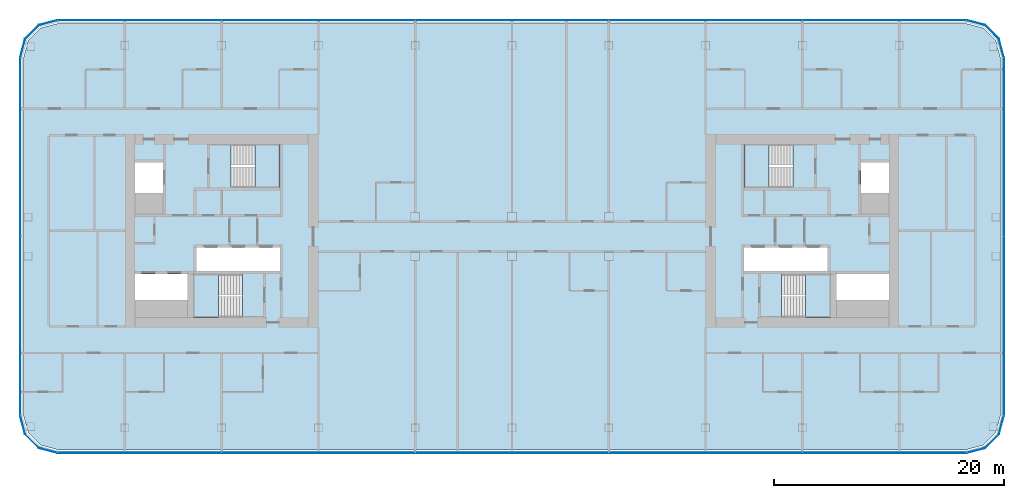
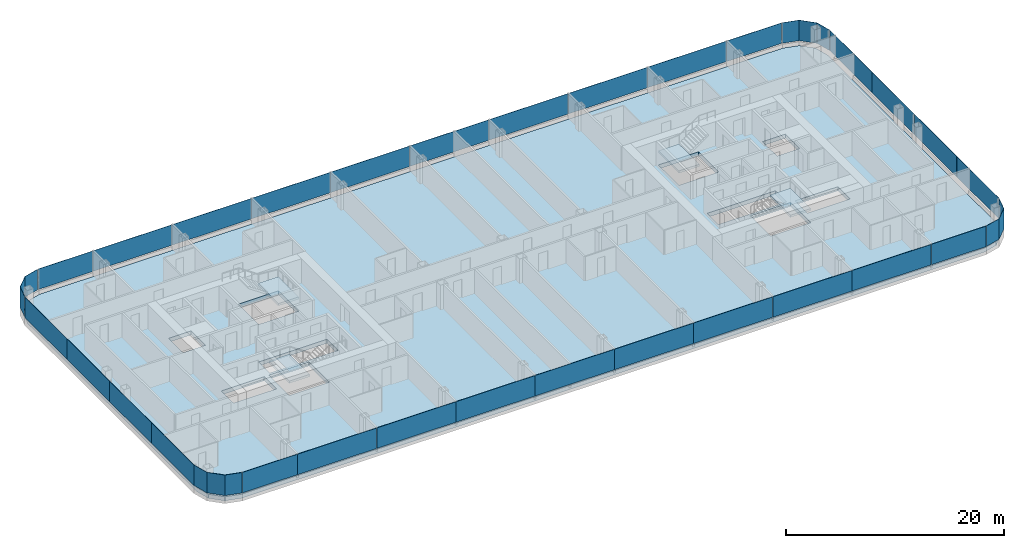
# One storey, part 11 of 25: 32 plates, 5 slabs, 12 elements without a shape of their own.
"""IFC4 building model written with IfcOpenShell, lengths in metres."""

from ifc_helpers import new_model, si_unit, direction, frame, origin, origin_2d, place, context, subcontext, project, spatial, polyline, rectangle, outline, extrude, material, layer, layer_set, type_object, element, aggregate, save


model = new_model("IFC4")

# Units and contexts
model_context = context("Model", 3, precision=1e-05, world=origin(), true_north=direction((0.0, 1.0)))
body_context = subcontext(model_context, "Body", "Model", "MODEL_VIEW")
ifc_project = project(units=[si_unit("LENGTHUNIT", "METRE"), si_unit("AREAUNIT", "SQUARE_METRE"), si_unit("VOLUMEUNIT", "CUBIC_METRE"), si_unit("PLANEANGLEUNIT", "RADIAN"), si_unit("MASSUNIT", "GRAM", prefix="KILO")], contexts=[model_context])

# Site, building, storey
site_placement = place(None, origin())
site = spatial("IfcSite", under=ifc_project, at=site_placement, CompositionType="ELEMENT")
building_placement = place(site_placement, origin())
building = spatial("IfcBuilding", under=site, at=building_placement, Name="Hakoniwa Tower and Hamabe Station Hall", CompositionType="ELEMENT")
storey_placement = place(building_placement, frame((0.0, 0.0, 147.0)))
storey = spatial("IfcBuildingStorey", under=building, at=storey_placement, Name="L41", CompositionType="ELEMENT", Elevation=147.0)

# Stair, slab
ifc_material_1 = material(Name="Concrete C40", Category="concrete")
stair_type = type_object("IfcStairType", Name="ESCAPE STAIR 1800", PredefinedType="HALF_TURN_STAIR", material=ifc_material_1)
stair_1_placement = place(storey_placement, origin())
stair_1 = element("IfcStair", 1, at=stair_1_placement, inside=storey, type_object=stair_type, Name="Escape stair ST-1 L41", PredefinedType="HALF_TURN_STAIR")
ifc_material_2 = material(Name="Concrete C40", Category="concrete")
ifc_layer_1 = layer(ifc_material_2, 0.25)
ifc_layer_set_1 = layer_set([ifc_layer_1], Name="CORE STAIR LANDING 250")
slab_type_1 = type_object("IfcSlabType", Name="CORE STAIR LANDING 250", PredefinedType="LANDING", material=ifc_layer_set_1)
slab_1_placement = place(storey_placement, frame((0.0, 0.0, 1.35009765625)))
slab_1 = element("IfcSlab", 2, at=slab_1_placement, type_object=slab_type_1, Name="ST-1 landing 1", PredefinedType="LANDING", context=body_context, shape_type="SweptSolid", body=[
    extrude(outline(polyline([(-22.320068359375, 3.75), (-20.14990234375, 3.75), (-20.14990234375, 7.5), (-22.320068359375, 7.5), (-22.320068359375, 3.75)])), origin(), (0.0, 0.0, 1.0), 0.25),
])
aggregate(stair_1, [slab_1])

stair_2_placement = place(storey_placement, origin())
stair_2 = element("IfcStair", 3, at=stair_2_placement, inside=storey, type_object=stair_type, Name="Escape stair ST-2 L41", PredefinedType="HALF_TURN_STAIR")
slab_2_placement = place(storey_placement, frame((0.0, 0.0, 1.35009765625)))
slab_2 = element("IfcSlab", 4, at=slab_2_placement, type_object=slab_type_1, Name="ST-2 landing 1", PredefinedType="LANDING", context=body_context, shape_type="SweptSolid", body=[
    extrude(outline(polyline([(-25.47998046875, -7.5), (-27.64990234375, -7.5), (-27.64990234375, -3.75), (-25.47998046875, -3.75), (-25.47998046875, -7.5)])), origin(), (0.0, 0.0, 1.0), 0.25),
])
aggregate(stair_2, [slab_2])

stair_3_placement = place(storey_placement, origin())
stair_3 = element("IfcStair", 5, at=stair_3_placement, inside=storey, type_object=stair_type, Name="Escape stair ST-3 L41", PredefinedType="HALF_TURN_STAIR")
slab_3_placement = place(storey_placement, frame((0.0, 0.0, 1.35009765625)))
slab_3 = element("IfcSlab", 6, at=slab_3_placement, type_object=slab_type_1, Name="ST-3 landing 1", PredefinedType="LANDING", context=body_context, shape_type="SweptSolid", body=[
    extrude(outline(polyline([(22.320068359375, 3.75), (20.14990234375, 3.75), (20.14990234375, 7.5), (22.320068359375, 7.5), (22.320068359375, 3.75)])), origin(), (0.0, 0.0, 1.0), 0.25),
])
aggregate(stair_3, [slab_3])

stair_4_placement = place(storey_placement, origin())
stair_4 = element("IfcStair", 7, at=stair_4_placement, inside=storey, type_object=stair_type, Name="Escape stair ST-4 L41", PredefinedType="HALF_TURN_STAIR")
slab_4_placement = place(storey_placement, frame((0.0, 0.0, 1.35009765625)))
slab_4 = element("IfcSlab", 8, at=slab_4_placement, type_object=slab_type_1, Name="ST-4 landing 1", PredefinedType="LANDING", context=body_context, shape_type="SweptSolid", body=[
    extrude(outline(polyline([(25.47998046875, -7.5), (27.64990234375, -7.5), (27.64990234375, -3.75), (25.47998046875, -3.75), (25.47998046875, -7.5)])), origin(), (0.0, 0.0, 1.0), 0.25),
])
aggregate(stair_4, [slab_4])

# Curtain wall, plates
ifc_material_3 = material(Name="Dark low-e laminated glass", Category="glass")
ifc_layer_2 = layer(ifc_material_3, 0.199951171875)
ifc_layer_set_2 = layer_set([ifc_layer_2], Name="CW-1 UNITISED GUEST")
curtain_wall_type = type_object("IfcCurtainWallType", Name="CW-1 UNITISED GUEST", PredefinedType="NOTDEFINED", material=ifc_layer_set_2)
curtain_wall_1_placement = place(storey_placement, origin())
curtain_wall_1 = element("IfcCurtainWall", 9, at=curtain_wall_1_placement, inside=storey, type_object=curtain_wall_type, Name="CW-1 curtain wall", PredefinedType="NOTDEFINED")
ifc_material_4 = material(Name="Dark low-e laminated glass", Category="glass")
ifc_layer_3 = layer(ifc_material_4, 0.028076171875)
ifc_layer_set_3 = layer_set([ifc_layer_3], Name="CW-1 GLASS UNIT")
plate_type = type_object("IfcPlateType", Name="CW-1 GLASS UNIT", PredefinedType="CURTAIN_PANEL", material=ifc_layer_set_3)
plate_1_placement = place(storey_placement, frame((42.68603515625, -12.154541015625, 0.35009765625), z_axis=(0.0, 0.0, 1.0), x_axis=(0.0, 1.0, 0.0)))
plate_1 = element("IfcPlate", 10, at=plate_1_placement, type_object=plate_type, Name="CW-1 glass unit", PredefinedType="CURTAIN_PANEL", context=body_context, shape_type="SweptSolid", body=[
    extrude(rectangle(XDim=7.749755859375, YDim=0.028076171875, at=origin_2d()), origin(), (0.0, 0.0, 1.0), 2.300048828125),
])
plate_2_placement = place(storey_placement, frame((42.68603515625, -4.384765625, 0.35009765625), z_axis=(0.0, 0.0, 1.0), x_axis=(0.0, 1.0, 0.0)))
plate_2 = element("IfcPlate", 11, at=plate_2_placement, type_object=plate_type, Name="CW-1 glass unit", PredefinedType="CURTAIN_PANEL", context=body_context, shape_type="SweptSolid", body=[
    extrude(rectangle(XDim=7.749755859375, YDim=0.028076171875, at=origin_2d()), origin(), (0.0, 0.0, 1.0), 2.300048828125),
])
plate_3_placement = place(storey_placement, frame((42.68603515625, 3.384765625, 0.35009765625), z_axis=(0.0, 0.0, 1.0), x_axis=(0.0, 1.0, 0.0)))
plate_3 = element("IfcPlate", 12, at=plate_3_placement, type_object=plate_type, Name="CW-1 glass unit", PredefinedType="CURTAIN_PANEL", context=body_context, shape_type="SweptSolid", body=[
    extrude(rectangle(XDim=7.749755859375, YDim=0.028076171875, at=origin_2d()), origin(), (0.0, 0.0, 1.0), 2.300048828125),
])
plate_4_placement = place(storey_placement, frame((42.68603515625, 11.154541015625, 0.35009765625), z_axis=(0.0, 0.0, 1.0), x_axis=(0.0, 1.0, 0.0)))
plate_4 = element("IfcPlate", 13, at=plate_4_placement, type_object=plate_type, Name="CW-1 glass unit", PredefinedType="CURTAIN_PANEL", context=body_context, shape_type="SweptSolid", body=[
    extrude(rectangle(XDim=7.749755859375, YDim=0.028076171875, at=origin_2d()), origin(), (0.0, 0.0, 1.0), 2.300048828125),
])
aggregate(curtain_wall_1, [plate_1, plate_2, plate_3, plate_4])

# Curtain wall, plate
curtain_wall_2_placement = place(storey_placement, origin())
curtain_wall_2 = element("IfcCurtainWall", 14, at=curtain_wall_2_placement, inside=storey, type_object=curtain_wall_type, Name="CW-1 curtain wall", PredefinedType="NOTDEFINED")
plate_5_placement = place(storey_placement, frame((0.0, 0.0, 0.35009765625)))
plate_5 = element("IfcPlate", 15, at=plate_5_placement, type_object=plate_type, Name="CW-1 curved corner unit", PredefinedType="CURTAIN_PANEL", context=body_context, shape_type="SweptSolid", body=[
    extrude(outline(polyline([(42.689697265625, 15.078125), (42.26708984375, 16.6552734375), (41.05517578125, 17.866943359375), (39.47802734375, 18.28955078125), (39.470947265625, 18.2626953125), (41.040771484375, 17.842041015625), (42.241943359375, 16.640869140625), (42.66259765625, 15.07080078125), (42.689697265625, 15.078125)])), origin(), (0.0, 0.0, 1.0), 2.2998046875),
])
aggregate(curtain_wall_2, [plate_5])

# Curtain wall, plates
curtain_wall_3_placement = place(storey_placement, origin())
curtain_wall_3 = element("IfcCurtainWall", 16, at=curtain_wall_3_placement, inside=storey, type_object=curtain_wall_type, Name="CW-1 curtain wall", PredefinedType="NOTDEFINED")
plate_6_placement = place(storey_placement, frame((36.519775390625, 18.285888671875, 0.35009765625), z_axis=(0.0, 0.0, 1.0), x_axis=(-1.0, 0.0, 0.0)))
plate_6 = element("IfcPlate", 17, at=plate_6_placement, type_object=plate_type, Name="CW-1 glass unit", PredefinedType="CURTAIN_PANEL", context=body_context, shape_type="SweptSolid", body=[
    extrude(rectangle(XDim=5.819580078125, YDim=0.028076171875, at=origin_2d()), origin(), (0.0, 0.0, 1.0), 2.300048828125),
])
plate_7_placement = place(storey_placement, frame((29.39990234375, 18.285888671875, 0.35009765625), z_axis=(0.0, 0.0, 1.0), x_axis=(-1.0, 0.0, 0.0)))
plate_7 = element("IfcPlate", 18, at=plate_7_placement, type_object=plate_type, Name="CW-1 glass unit", PredefinedType="CURTAIN_PANEL", context=body_context, shape_type="SweptSolid", body=[
    extrude(rectangle(XDim=8.3798828125, YDim=0.028076171875, at=origin_2d()), origin(), (0.0, 0.0, 1.0), 2.300048828125),
])
plate_8_placement = place(storey_placement, frame((21.0, 18.285888671875, 0.35009765625), z_axis=(0.0, 0.0, 1.0), x_axis=(-1.0, 0.0, 0.0)))
plate_8 = element("IfcPlate", 19, at=plate_8_placement, type_object=plate_type, Name="CW-1 glass unit", PredefinedType="CURTAIN_PANEL", context=body_context, shape_type="SweptSolid", body=[
    extrude(rectangle(XDim=8.3798828125, YDim=0.028076171875, at=origin_2d()), origin(), (0.0, 0.0, 1.0), 2.300048828125),
])
plate_9_placement = place(storey_placement, frame((12.60009765625, 18.285888671875, 0.35009765625), z_axis=(0.0, 0.0, 1.0), x_axis=(-1.0, 0.0, 0.0)))
plate_9 = element("IfcPlate", 20, at=plate_9_placement, type_object=plate_type, Name="CW-1 glass unit", PredefinedType="CURTAIN_PANEL", context=body_context, shape_type="SweptSolid", body=[
    extrude(rectangle(XDim=8.3798828125, YDim=0.028076171875, at=origin_2d()), origin(), (0.0, 0.0, 1.0), 2.300048828125),
])
plate_10_placement = place(storey_placement, frame((4.199951171875, 18.285888671875, 0.35009765625), z_axis=(0.0, 0.0, 1.0), x_axis=(-1.0, 0.0, 0.0)))
plate_10 = element("IfcPlate", 21, at=plate_10_placement, type_object=plate_type, Name="CW-1 glass unit", PredefinedType="CURTAIN_PANEL", context=body_context, shape_type="SweptSolid", body=[
    extrude(rectangle(XDim=8.3798828125, YDim=0.028076171875, at=origin_2d()), origin(), (0.0, 0.0, 1.0), 2.300048828125),
])
plate_11_placement = place(storey_placement, frame((-4.199951171875, 18.285888671875, 0.35009765625), z_axis=(0.0, 0.0, 1.0), x_axis=(-1.0, 0.0, 0.0)))
plate_11 = element("IfcPlate", 22, at=plate_11_placement, type_object=plate_type, Name="CW-1 glass unit", PredefinedType="CURTAIN_PANEL", context=body_context, shape_type="SweptSolid", body=[
    extrude(rectangle(XDim=8.3798828125, YDim=0.028076171875, at=origin_2d()), origin(), (0.0, 0.0, 1.0), 2.300048828125),
])
plate_12_placement = place(storey_placement, frame((-12.60009765625, 18.285888671875, 0.35009765625), z_axis=(0.0, 0.0, 1.0), x_axis=(-1.0, 0.0, 0.0)))
plate_12 = element("IfcPlate", 23, at=plate_12_placement, type_object=plate_type, Name="CW-1 glass unit", PredefinedType="CURTAIN_PANEL", context=body_context, shape_type="SweptSolid", body=[
    extrude(rectangle(XDim=8.3798828125, YDim=0.028076171875, at=origin_2d()), origin(), (0.0, 0.0, 1.0), 2.300048828125),
])
plate_13_placement = place(storey_placement, frame((-21.0, 18.285888671875, 0.35009765625), z_axis=(0.0, 0.0, 1.0), x_axis=(-1.0, 0.0, 0.0)))
plate_13 = element("IfcPlate", 24, at=plate_13_placement, type_object=plate_type, Name="CW-1 glass unit", PredefinedType="CURTAIN_PANEL", context=body_context, shape_type="SweptSolid", body=[
    extrude(rectangle(XDim=8.3798828125, YDim=0.028076171875, at=origin_2d()), origin(), (0.0, 0.0, 1.0), 2.300048828125),
])
plate_14_placement = place(storey_placement, frame((-29.39990234375, 18.285888671875, 0.35009765625), z_axis=(0.0, 0.0, 1.0), x_axis=(-1.0, 0.0, 0.0)))
plate_14 = element("IfcPlate", 25, at=plate_14_placement, type_object=plate_type, Name="CW-1 glass unit", PredefinedType="CURTAIN_PANEL", context=body_context, shape_type="SweptSolid", body=[
    extrude(rectangle(XDim=8.3798828125, YDim=0.028076171875, at=origin_2d()), origin(), (0.0, 0.0, 1.0), 2.300048828125),
])
plate_15_placement = place(storey_placement, frame((-36.519775390625, 18.285888671875, 0.35009765625), z_axis=(0.0, 0.0, 1.0), x_axis=(-1.0, 0.0, 0.0)))
plate_15 = element("IfcPlate", 26, at=plate_15_placement, type_object=plate_type, Name="CW-1 glass unit", PredefinedType="CURTAIN_PANEL", context=body_context, shape_type="SweptSolid", body=[
    extrude(rectangle(XDim=5.819580078125, YDim=0.028076171875, at=origin_2d()), origin(), (0.0, 0.0, 1.0), 2.300048828125),
])
aggregate(curtain_wall_3, [plate_6, plate_7, plate_8, plate_9, plate_10, plate_11, plate_12, plate_13, plate_14, plate_15])

# Curtain wall, plate
curtain_wall_4_placement = place(storey_placement, origin())
curtain_wall_4 = element("IfcCurtainWall", 27, at=curtain_wall_4_placement, inside=storey, type_object=curtain_wall_type, Name="CW-1 curtain wall", PredefinedType="NOTDEFINED")
plate_16_placement = place(storey_placement, frame((0.0, 0.0, 0.35009765625)))
plate_16 = element("IfcPlate", 28, at=plate_16_placement, type_object=plate_type, Name="CW-1 curved corner unit", PredefinedType="CURTAIN_PANEL", context=body_context, shape_type="SweptSolid", body=[
    extrude(outline(polyline([(-39.47802734375, 18.28955078125), (-41.05517578125, 17.866943359375), (-42.26708984375, 16.6552734375), (-42.689697265625, 15.078125), (-42.66259765625, 15.07080078125), (-42.241943359375, 16.640869140625), (-41.040771484375, 17.842041015625), (-39.470947265625, 18.2626953125), (-39.47802734375, 18.28955078125)])), origin(), (0.0, 0.0, 1.0), 2.2998046875),
])
aggregate(curtain_wall_4, [plate_16])

# Curtain wall, plates
curtain_wall_5_placement = place(storey_placement, origin())
curtain_wall_5 = element("IfcCurtainWall", 29, at=curtain_wall_5_placement, inside=storey, type_object=curtain_wall_type, Name="CW-1 curtain wall", PredefinedType="NOTDEFINED")
plate_17_placement = place(storey_placement, frame((-42.68603515625, 11.154541015625, 0.35009765625), z_axis=(0.0, 0.0, 1.0), x_axis=(0.0, -1.0, 0.0)))
plate_17 = element("IfcPlate", 30, at=plate_17_placement, type_object=plate_type, Name="CW-1 glass unit", PredefinedType="CURTAIN_PANEL", context=body_context, shape_type="SweptSolid", body=[
    extrude(rectangle(XDim=7.749755859375, YDim=0.028076171875, at=origin_2d()), origin(), (0.0, 0.0, 1.0), 2.300048828125),
])
plate_18_placement = place(storey_placement, frame((-42.68603515625, 3.384765625, 0.35009765625), z_axis=(0.0, 0.0, 1.0), x_axis=(0.0, -1.0, 0.0)))
plate_18 = element("IfcPlate", 31, at=plate_18_placement, type_object=plate_type, Name="CW-1 glass unit", PredefinedType="CURTAIN_PANEL", context=body_context, shape_type="SweptSolid", body=[
    extrude(rectangle(XDim=7.749755859375, YDim=0.028076171875, at=origin_2d()), origin(), (0.0, 0.0, 1.0), 2.300048828125),
])
plate_19_placement = place(storey_placement, frame((-42.68603515625, -4.384765625, 0.35009765625), z_axis=(0.0, 0.0, 1.0), x_axis=(0.0, -1.0, 0.0)))
plate_19 = element("IfcPlate", 32, at=plate_19_placement, type_object=plate_type, Name="CW-1 glass unit", PredefinedType="CURTAIN_PANEL", context=body_context, shape_type="SweptSolid", body=[
    extrude(rectangle(XDim=7.749755859375, YDim=0.028076171875, at=origin_2d()), origin(), (0.0, 0.0, 1.0), 2.300048828125),
])
plate_20_placement = place(storey_placement, frame((-42.68603515625, -12.154541015625, 0.35009765625), z_axis=(0.0, 0.0, 1.0), x_axis=(0.0, -1.0, 0.0)))
plate_20 = element("IfcPlate", 33, at=plate_20_placement, type_object=plate_type, Name="CW-1 glass unit", PredefinedType="CURTAIN_PANEL", context=body_context, shape_type="SweptSolid", body=[
    extrude(rectangle(XDim=7.749755859375, YDim=0.028076171875, at=origin_2d()), origin(), (0.0, 0.0, 1.0), 2.300048828125),
])
aggregate(curtain_wall_5, [plate_17, plate_18, plate_19, plate_20])

# Curtain wall, plate
curtain_wall_6_placement = place(storey_placement, origin())
curtain_wall_6 = element("IfcCurtainWall", 34, at=curtain_wall_6_placement, inside=storey, type_object=curtain_wall_type, Name="CW-1 curtain wall", PredefinedType="NOTDEFINED")
plate_21_placement = place(storey_placement, frame((0.0, 0.0, 0.35009765625)))
plate_21 = element("IfcPlate", 35, at=plate_21_placement, type_object=plate_type, Name="CW-1 curved corner unit", PredefinedType="CURTAIN_PANEL", context=body_context, shape_type="SweptSolid", body=[
    extrude(outline(polyline([(-42.689697265625, -16.078125), (-42.26708984375, -17.6552734375), (-41.05517578125, -18.866943359375), (-39.47802734375, -19.28955078125), (-39.470947265625, -19.2626953125), (-41.040771484375, -18.842041015625), (-42.241943359375, -17.640869140625), (-42.66259765625, -16.07080078125), (-42.689697265625, -16.078125)])), origin(), (0.0, 0.0, 1.0), 2.2998046875),
])
aggregate(curtain_wall_6, [plate_21])

# Curtain wall, plates
curtain_wall_7_placement = place(storey_placement, origin())
curtain_wall_7 = element("IfcCurtainWall", 36, at=curtain_wall_7_placement, inside=storey, type_object=curtain_wall_type, Name="CW-1 curtain wall", PredefinedType="NOTDEFINED")
plate_22_placement = place(storey_placement, frame((-36.519775390625, -19.285888671875, 0.35009765625), z_axis=(0.0, 0.0, 1.0), x_axis=(1.0, 0.0, 0.0)))
plate_22 = element("IfcPlate", 37, at=plate_22_placement, type_object=plate_type, Name="CW-1 glass unit", PredefinedType="CURTAIN_PANEL", context=body_context, shape_type="SweptSolid", body=[
    extrude(rectangle(XDim=5.819580078125, YDim=0.028076171875, at=origin_2d()), origin(), (0.0, 0.0, 1.0), 2.300048828125),
])
plate_23_placement = place(storey_placement, frame((-29.39990234375, -19.285888671875, 0.35009765625), z_axis=(0.0, 0.0, 1.0), x_axis=(1.0, 0.0, 0.0)))
plate_23 = element("IfcPlate", 38, at=plate_23_placement, type_object=plate_type, Name="CW-1 glass unit", PredefinedType="CURTAIN_PANEL", context=body_context, shape_type="SweptSolid", body=[
    extrude(rectangle(XDim=8.3798828125, YDim=0.028076171875, at=origin_2d()), origin(), (0.0, 0.0, 1.0), 2.300048828125),
])
plate_24_placement = place(storey_placement, frame((-21.0, -19.285888671875, 0.35009765625), z_axis=(0.0, 0.0, 1.0), x_axis=(1.0, 0.0, 0.0)))
plate_24 = element("IfcPlate", 39, at=plate_24_placement, type_object=plate_type, Name="CW-1 glass unit", PredefinedType="CURTAIN_PANEL", context=body_context, shape_type="SweptSolid", body=[
    extrude(rectangle(XDim=8.3798828125, YDim=0.028076171875, at=origin_2d()), origin(), (0.0, 0.0, 1.0), 2.300048828125),
])
plate_25_placement = place(storey_placement, frame((-12.60009765625, -19.285888671875, 0.35009765625), z_axis=(0.0, 0.0, 1.0), x_axis=(1.0, 0.0, 0.0)))
plate_25 = element("IfcPlate", 40, at=plate_25_placement, type_object=plate_type, Name="CW-1 glass unit", PredefinedType="CURTAIN_PANEL", context=body_context, shape_type="SweptSolid", body=[
    extrude(rectangle(XDim=8.3798828125, YDim=0.028076171875, at=origin_2d()), origin(), (0.0, 0.0, 1.0), 2.300048828125),
])
plate_26_placement = place(storey_placement, frame((-4.199951171875, -19.285888671875, 0.35009765625), z_axis=(0.0, 0.0, 1.0), x_axis=(1.0, 0.0, 0.0)))
plate_26 = element("IfcPlate", 41, at=plate_26_placement, type_object=plate_type, Name="CW-1 glass unit", PredefinedType="CURTAIN_PANEL", context=body_context, shape_type="SweptSolid", body=[
    extrude(rectangle(XDim=8.3798828125, YDim=0.028076171875, at=origin_2d()), origin(), (0.0, 0.0, 1.0), 2.300048828125),
])
plate_27_placement = place(storey_placement, frame((4.199951171875, -19.285888671875, 0.35009765625), z_axis=(0.0, 0.0, 1.0), x_axis=(1.0, 0.0, 0.0)))
plate_27 = element("IfcPlate", 42, at=plate_27_placement, type_object=plate_type, Name="CW-1 glass unit", PredefinedType="CURTAIN_PANEL", context=body_context, shape_type="SweptSolid", body=[
    extrude(rectangle(XDim=8.3798828125, YDim=0.028076171875, at=origin_2d()), origin(), (0.0, 0.0, 1.0), 2.300048828125),
])
plate_28_placement = place(storey_placement, frame((12.60009765625, -19.285888671875, 0.35009765625), z_axis=(0.0, 0.0, 1.0), x_axis=(1.0, 0.0, 0.0)))
plate_28 = element("IfcPlate", 43, at=plate_28_placement, type_object=plate_type, Name="CW-1 glass unit", PredefinedType="CURTAIN_PANEL", context=body_context, shape_type="SweptSolid", body=[
    extrude(rectangle(XDim=8.3798828125, YDim=0.028076171875, at=origin_2d()), origin(), (0.0, 0.0, 1.0), 2.300048828125),
])
plate_29_placement = place(storey_placement, frame((21.0, -19.285888671875, 0.35009765625), z_axis=(0.0, 0.0, 1.0), x_axis=(1.0, 0.0, 0.0)))
plate_29 = element("IfcPlate", 44, at=plate_29_placement, type_object=plate_type, Name="CW-1 glass unit", PredefinedType="CURTAIN_PANEL", context=body_context, shape_type="SweptSolid", body=[
    extrude(rectangle(XDim=8.3798828125, YDim=0.028076171875, at=origin_2d()), origin(), (0.0, 0.0, 1.0), 2.300048828125),
])
plate_30_placement = place(storey_placement, frame((29.39990234375, -19.285888671875, 0.35009765625), z_axis=(0.0, 0.0, 1.0), x_axis=(1.0, 0.0, 0.0)))
plate_30 = element("IfcPlate", 45, at=plate_30_placement, type_object=plate_type, Name="CW-1 glass unit", PredefinedType="CURTAIN_PANEL", context=body_context, shape_type="SweptSolid", body=[
    extrude(rectangle(XDim=8.3798828125, YDim=0.028076171875, at=origin_2d()), origin(), (0.0, 0.0, 1.0), 2.300048828125),
])
plate_31_placement = place(storey_placement, frame((36.519775390625, -19.285888671875, 0.35009765625), z_axis=(0.0, 0.0, 1.0), x_axis=(1.0, 0.0, 0.0)))
plate_31 = element("IfcPlate", 46, at=plate_31_placement, type_object=plate_type, Name="CW-1 glass unit", PredefinedType="CURTAIN_PANEL", context=body_context, shape_type="SweptSolid", body=[
    extrude(rectangle(XDim=5.819580078125, YDim=0.028076171875, at=origin_2d()), origin(), (0.0, 0.0, 1.0), 2.300048828125),
])
aggregate(curtain_wall_7, [plate_22, plate_23, plate_24, plate_25, plate_26, plate_27, plate_28, plate_29, plate_30, plate_31])

# Curtain wall, plate
curtain_wall_8_placement = place(storey_placement, origin())
curtain_wall_8 = element("IfcCurtainWall", 47, at=curtain_wall_8_placement, inside=storey, type_object=curtain_wall_type, Name="CW-1 curtain wall", PredefinedType="NOTDEFINED")
plate_32_placement = place(storey_placement, frame((0.0, 0.0, 0.35009765625)))
plate_32 = element("IfcPlate", 48, at=plate_32_placement, type_object=plate_type, Name="CW-1 curved corner unit", PredefinedType="CURTAIN_PANEL", context=body_context, shape_type="SweptSolid", body=[
    extrude(outline(polyline([(39.47802734375, -19.28955078125), (41.05517578125, -18.866943359375), (42.26708984375, -17.6552734375), (42.689697265625, -16.078125), (42.66259765625, -16.07080078125), (42.241943359375, -17.640869140625), (41.040771484375, -18.842041015625), (39.470947265625, -19.2626953125), (39.47802734375, -19.28955078125)])), origin(), (0.0, 0.0, 1.0), 2.2998046875),
])
aggregate(curtain_wall_8, [plate_32])

# Slab
ifc_material_5 = material(Name="Concrete C42", Category="concrete")
ifc_layer_4 = layer(ifc_material_5, 0.449951171875)
ifc_layer_set_4 = layer_set([ifc_layer_4], Name="PT FLAT PLATE 450")
slab_type_2 = type_object("IfcSlabType", Name="PT FLAT PLATE 450", PredefinedType="FLOOR", material=ifc_layer_set_4)
slab_5_placement = place(storey_placement, frame((0.0, 0.0, -0.449951171875)))
element("IfcSlab", 49, at=slab_5_placement, inside=storey, type_object=slab_type_2, Name="Floor slab L41", PredefinedType="FLOOR", context=body_context, shape_type="SweptSolid", body=[
    extrude(outline(polyline([(42.39990234375, -16.0), (42.39990234375, 15.0), (41.998046875, 16.5), (40.89990234375, 17.59814453125), (39.39990234375, 18.0), (-39.39990234375, 18.0), (-40.89990234375, 17.59814453125), (-41.998046875, 16.5), (-42.39990234375, 15.0), (-42.39990234375, -16.0), (-41.998046875, -17.5), (-40.89990234375, -18.59814453125), (-39.39990234375, -19.0), (39.39990234375, -19.0), (40.89990234375, -18.59814453125), (41.998046875, -17.5), (42.39990234375, -16.0)]), holes=[polyline([(-27.39990234375, -3.5), (-27.39990234375, -1.449951171875), (-20.14990234375, -1.449951171875), (-20.14990234375, -3.5), (-27.39990234375, -3.5)]), polyline([(-32.699951171875, 3.300048828125), (-32.699951171875, 5.949951171875), (-30.300048828125, 5.949951171875), (-30.300048828125, 3.300048828125), (-32.699951171875, 3.300048828125)]), polyline([(-32.699951171875, -6.0), (-32.699951171875, -3.75), (-28.14990234375, -3.75), (-28.14990234375, -6.0), (-32.699951171875, -6.0)]), polyline([(-24.389892578125, 3.75), (-24.389892578125, 7.5), (-20.14990234375, 7.5), (-20.14990234375, 3.75), (-24.389892578125, 3.75)]), polyline([(-27.64990234375, -7.5), (-27.64990234375, -3.75), (-23.409912109375, -3.75), (-23.409912109375, -7.5), (-27.64990234375, -7.5)]), polyline([(20.14990234375, -3.5), (20.14990234375, -1.449951171875), (27.39990234375, -1.449951171875), (27.39990234375, -3.5), (20.14990234375, -3.5)]), polyline([(30.300048828125, 3.300048828125), (30.300048828125, 5.949951171875), (32.699951171875, 5.949951171875), (32.699951171875, 3.300048828125), (30.300048828125, 3.300048828125)]), polyline([(28.14990234375, -6.0), (28.14990234375, -3.75), (32.699951171875, -3.75), (32.699951171875, -6.0), (28.14990234375, -6.0)]), polyline([(20.14990234375, 3.75), (20.14990234375, 7.5), (24.389892578125, 7.5), (24.389892578125, 3.75), (20.14990234375, 3.75)]), polyline([(23.409912109375, -7.5), (23.409912109375, -3.75), (27.64990234375, -3.75), (27.64990234375, -7.5), (23.409912109375, -7.5)])]), origin(), (0.0, 0.0, 1.0), 0.449951171875),
])

save(model, "model.ifc")
